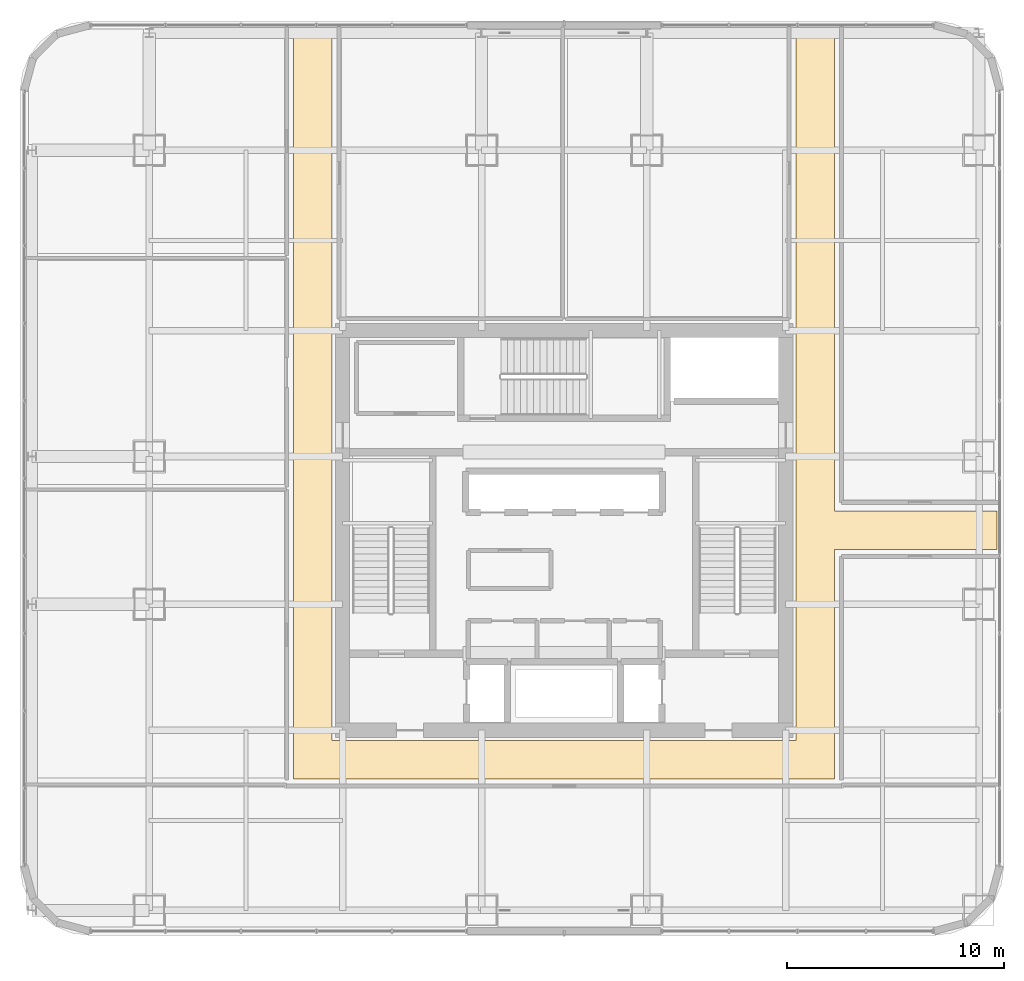
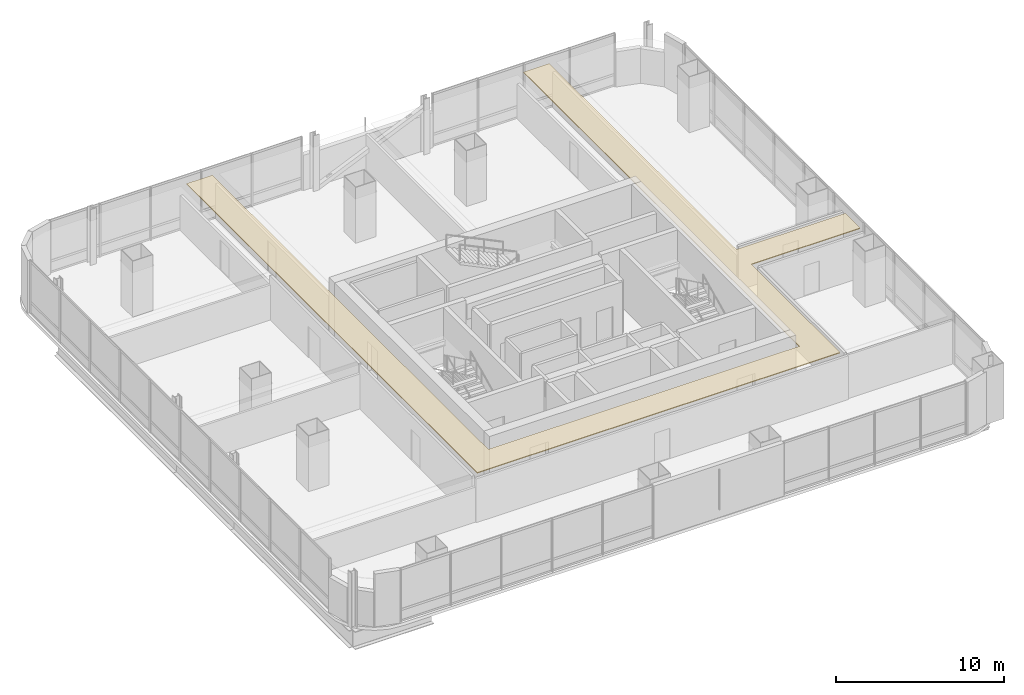
# One storey, part 35 of 38: 1 covering.
"""IFC4 building model written with IfcOpenShell, lengths in metres."""

from ifc_helpers import new_model, si_unit, direction, frame, origin, place, context, subcontext, project, spatial, polyline, outline, extrude, material, layer, layer_set, type_object, element, save


model = new_model("IFC4")

# Units and contexts
model_context = context("Model", 3, precision=1e-05, world=origin(), true_north=direction((0.0, 1.0)))
body_context = subcontext(model_context, "Body", "Model", "MODEL_VIEW")
ifc_project = project(units=[si_unit("LENGTHUNIT", "METRE"), si_unit("AREAUNIT", "SQUARE_METRE"), si_unit("VOLUMEUNIT", "CUBIC_METRE"), si_unit("PLANEANGLEUNIT", "RADIAN"), si_unit("MASSUNIT", "GRAM", prefix="KILO")], contexts=[model_context])

# Site, building, storey
site_placement = place(None, origin())
site = spatial("IfcSite", under=ifc_project, at=site_placement, CompositionType="ELEMENT")
building_placement = place(site_placement, origin())
building = spatial("IfcBuilding", under=site, at=building_placement, Name="Punatoya Terracotta Tower", CompositionType="ELEMENT")
storey_placement = place(building_placement, frame((0.0, 0.0, 156.0)))
storey = spatial("IfcBuildingStorey", under=building, at=storey_placement, Name="L36", CompositionType="ELEMENT", Elevation=156.0)

# Covering
ifc_material = material(Name="Acoustic Mineral Fibre Ceiling")
ifc_layer = layer(ifc_material, 0.06005859375)
ifc_layer_set = layer_set([ifc_layer], Name="Acoustic Mineral Fibre Ceiling")
covering_type = type_object("IfcCoveringType", Name="COV-CEIL-60", PredefinedType="CEILING", material=ifc_layer_set)
covering_placement = place(storey_placement, frame((0.0, 0.0, 3.219970703125)))
element("IfcCovering", 1, at=covering_placement, inside=storey, type_object=covering_type, Name="L36 Central Spine Circulation Corridor Acoustic Ceiling", PredefinedType="CEILING", context=body_context, shape_type="SweptSolid", body=[
    extrude(outline(polyline([(19.929931640625, -0.8798828125), (19.929931640625, 0.8798828125), (12.449951171875, 0.8798828125), (12.449951171875, 23.1298828125), (10.679931640625, 23.1298828125), (10.679931640625, -9.679931640625), (-10.679931640625, -9.679931640625), (-10.679931640625, 23.1298828125), (-12.449951171875, 23.1298828125), (-12.449951171875, -11.449951171875), (12.449951171875, -11.449951171875), (12.449951171875, -0.8798828125), (19.929931640625, -0.8798828125)])), origin(), (0.0, 0.0, 1.0), 0.06005859375),
])

save(model, "model.ifc")
